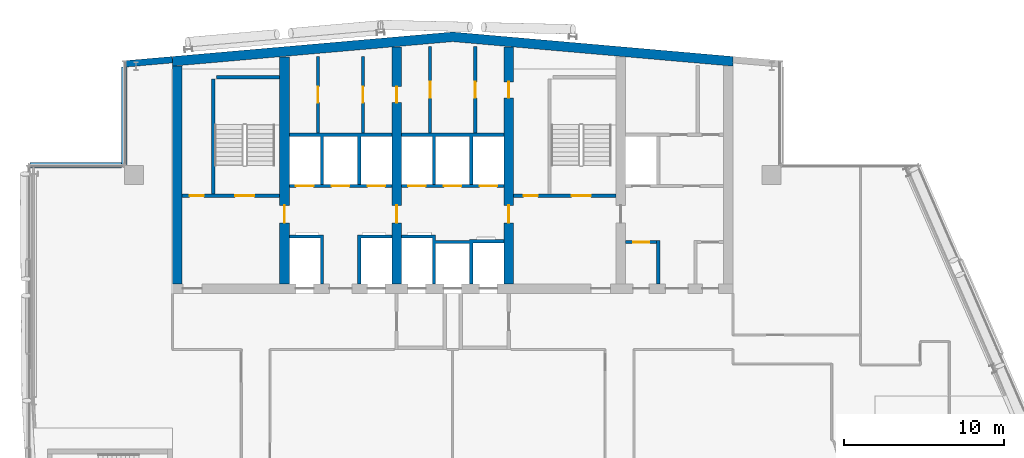
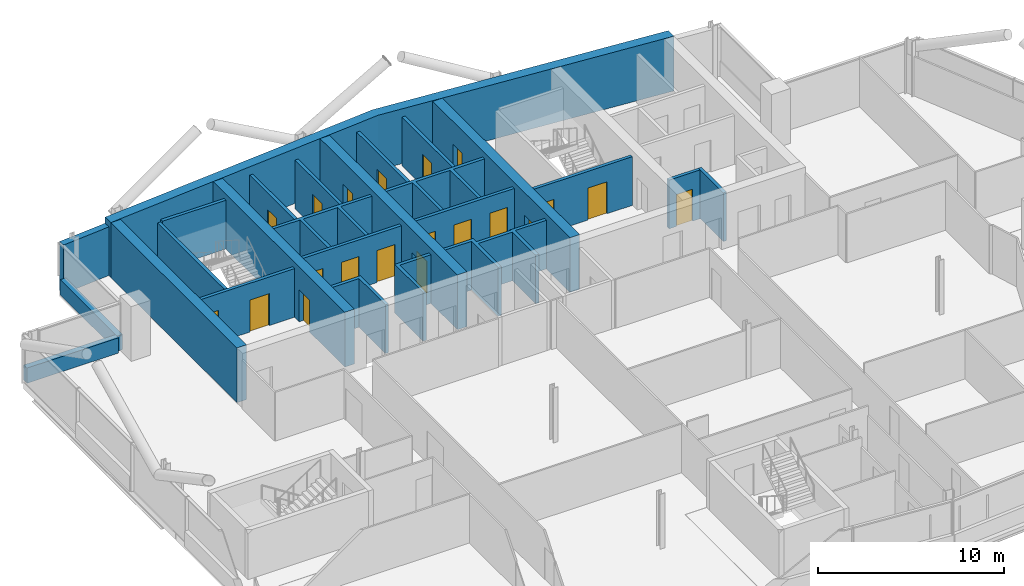
# One storey, part 19 of 28: 25 walls, 20 doors, 20 openings.
"""IFC4 building model written with IfcOpenShell, lengths in metres."""

import ifcopenshell
import ifcopenshell.guid

model = None  # the IFC model being written
_history = None  # IfcOwnerHistory: only IFC2X3 demands one
_inside = {}  # id of a spatial element -> (the spatial element, [elements in it])
_under = {}  # id of a project, library or spatial element -> (it, [spatial elements below it])
_declared = {}  # id of a project -> (the project, [libraries it declares])
_typed = {}  # id of a type object -> (the type object, [elements of that type])
_made_of = {}  # id of a material, layer set ... -> (it, [elements and type objects made of it])


def new_model(schema):
    """Start an empty IFC model of exactly this schema.

    Asked for "IFC4X3", IfcOpenShell would pick the latest addendum, in which some entities
    have other attributes; the version numbers below select the first issue.
    IFC2X3 requires an IfcOwnerHistory on every rooted entity: one is made here for all.
    """
    global model, _history
    if schema == "IFC4X3":
        model = ifcopenshell.file(schema_version=(4, 3, 0, 0))
    else:
        model = ifcopenshell.file(schema=schema)
    _inside.clear()
    _under.clear()
    _declared.clear()
    _typed.clear()
    _made_of.clear()
    _history = None
    if model.schema == "IFC2X3":
        org = make("IfcOrganization", Name="unknown")
        user = make(
            "IfcPersonAndOrganization",
            ThePerson=make("IfcPerson", FamilyName="unknown"),
            TheOrganization=org,
        )
        app = make(
            "IfcApplication",
            ApplicationDeveloper=org,
            Version="unknown",
            ApplicationFullName="unknown",
            ApplicationIdentifier="unknown",
        )
        _history = make(
            "IfcOwnerHistory",
            OwningUser=user,
            OwningApplication=app,
            ChangeAction="ADDED",
            CreationDate=0,
        )
    return model


def make(cls, **values):
    """One entity of the class cls with the attributes given. An attribute that is None is left unset."""
    return model.create_entity(
        cls, **{name: value for name, value in values.items() if value is not None}
    )


def rooted(cls, **values):
    """An entity with a GlobalId (a new one), such as an element, a storey or a relation."""
    return make(cls, GlobalId=ifcopenshell.guid.new(), OwnerHistory=_history, **values)


def si_unit(unit_type, name, prefix=None):
    """IfcSIUnit, for example si_unit("LENGTHUNIT", "METRE", prefix="MILLI")."""
    return make("IfcSIUnit", UnitType=unit_type, Prefix=prefix, Name=name)


def assignment(units):
    """IfcUnitAssignment: the units of a project."""
    return None if units is None else make("IfcUnitAssignment", Units=units)


def point(xyz):
    """IfcCartesianPoint."""
    return None if xyz is None else make("IfcCartesianPoint", Coordinates=xyz)


def direction(xyz):
    """IfcDirection."""
    return None if xyz is None else make("IfcDirection", DirectionRatios=xyz)


def frame(location, z_axis=None, x_axis=None):
    """IfcAxis2Placement3D, a coordinate frame: its origin and axes. An axis left out is left unset."""
    return make(
        "IfcAxis2Placement3D",
        Location=point(location),
        Axis=direction(z_axis),
        RefDirection=direction(x_axis),
    )


def frame_2d(location, x_axis=None):
    """IfcAxis2Placement2D, a coordinate frame in the plane: its origin and x axis."""
    return make(
        "IfcAxis2Placement2D", Location=point(location), RefDirection=direction(x_axis)
    )


def origin():
    """The frame at (0, 0, 0) with its axes left unset."""
    return frame((0.0, 0.0, 0.0))


def place(relative_to, where):
    """IfcLocalPlacement: puts the frame where relative to a parent placement (None: the world)."""
    return make(
        "IfcLocalPlacement", PlacementRelTo=relative_to, RelativePlacement=where
    )


def context(
    kind, dimensions, precision=None, world=None, true_north=None, identifier=None
):
    """IfcGeometricRepresentationContext, for example the 3D "Model" context."""
    return make(
        "IfcGeometricRepresentationContext",
        ContextIdentifier=identifier,
        ContextType=kind,
        CoordinateSpaceDimension=dimensions,
        Precision=precision,
        WorldCoordinateSystem=world,
        TrueNorth=true_north,
    )


def subcontext(parent, identifier, kind, view, scale=None):
    """IfcGeometricRepresentationSubContext, for example "Body" below "Model"."""
    return make(
        "IfcGeometricRepresentationSubContext",
        ContextIdentifier=identifier,
        ContextType=kind,
        ParentContext=parent,
        TargetScale=scale,
        TargetView=view,
    )


def project(units=None, contexts=None):
    """IfcProject with its units and contexts."""
    return rooted(
        "IfcProject",
        Name="project",
        RepresentationContexts=contexts,
        UnitsInContext=assignment(units),
    )


def spatial(cls, under=None, at=None, **own):
    """A site, building, storey or space (cls), placed at a placement, below another one or the project."""
    s = rooted(cls, ObjectPlacement=at, **own)
    if under is not None:
        _under.setdefault(under.id(), (under, []))[1].append(s)
    return s


def polyline(points):
    """IfcPolyline through the points."""
    return make("IfcPolyline", Points=[point(p) for p in points])


def profile(cls, at=None, kind="AREA", **sizes):
    """A parametric profile (cls). Its sizes go by their IFC names, for example OverallWidth=200.0."""
    return make(cls, ProfileType=kind, Position=at, **sizes)


def rectangle(**sizes):
    """IfcRectangleProfileDef."""
    return profile("IfcRectangleProfileDef", **sizes)


def outline(outer, holes=None, kind="AREA"):
    """IfcArbitraryClosedProfileDef: a profile drawn as a closed curve; with holes, ...WithVoids."""
    if holes is None:
        return make("IfcArbitraryClosedProfileDef", ProfileType=kind, OuterCurve=outer)
    return make(
        "IfcArbitraryProfileDefWithVoids",
        ProfileType=kind,
        OuterCurve=outer,
        InnerCurves=holes,
    )


def extrude(swept, where, along, depth):
    """IfcExtrudedAreaSolid: the profile swept, set in the frame where, extruded along a direction by depth."""
    return make(
        "IfcExtrudedAreaSolid",
        SweptArea=swept,
        Position=where,
        ExtrudedDirection=direction(along),
        Depth=depth,
    )


def shape(context_of_items, identifier, shape_type, items):
    """IfcShapeRepresentation: the items that make up one representation, for example the "Body"."""
    return make(
        "IfcShapeRepresentation",
        ContextOfItems=context_of_items,
        RepresentationIdentifier=identifier,
        RepresentationType=shape_type,
        Items=items,
    )


def material(Name=None, Category=None):
    """IfcMaterial."""
    return make("IfcMaterial", Name=Name, Category=Category)


def layer(
    of_material, thickness, ventilated=None, Name=None, Category=None, Priority=None
):
    """IfcMaterialLayer: one layer of a wall or slab, of a material (None: an air gap)."""
    return make(
        "IfcMaterialLayer",
        Material=of_material,
        LayerThickness=thickness,
        IsVentilated=ventilated,
        Name=Name,
        Category=Category,
        Priority=Priority,
    )


def layer_set(layers, Name=None):
    """IfcMaterialLayerSet."""
    return make("IfcMaterialLayerSet", MaterialLayers=layers, LayerSetName=Name)


def made_of(thing, what):
    """Note that an element or type object is made of a material, layer set ...; save() writes the relation."""
    if what is not None:
        _made_of.setdefault(what.id(), (what, []))[1].append(thing)
    return thing


def type_object(cls, material=None, **own):
    """A type object (cls), such as IfcWallType, which elements share."""
    return made_of(rooted(cls, **own), material)


def element(
    cls,
    number,
    at=None,
    inside=None,
    cuts=None,
    type_object=None,
    material=None,
    context=None,
    identifier="Body",
    shape_type=None,
    held_by="IfcProductDefinitionShape",
    body=None,
    shapes=None,
    **own,
):
    """One element of the class cls, such as IfcWall. Its Tag is "e" and its number.

    at: its placement. inside: the storey or other place that contains it. cuts: it is an
    opening in that element (IfcRelVoidsElement). A single representation is given by context,
    identifier, shape_type and body (its items); several are given by shapes. held_by: the class
    of the entity that holds the representations. save() writes the other relations.
    """
    e = rooted(cls, Tag="e%d" % number, ObjectPlacement=at, **own)
    if body is not None:
        shapes = [shape(context, identifier, shape_type, body)]
    if shapes is not None:
        e.Representation = make(held_by, Representations=shapes)
    if inside is not None:
        _inside.setdefault(inside.id(), (inside, []))[1].append(e)
    if cuts is not None:
        rooted(
            "IfcRelVoidsElement", RelatingBuildingElement=cuts, RelatedOpeningElement=e
        )
    if type_object is not None:
        _typed.setdefault(type_object.id(), (type_object, []))[1].append(e)
    return made_of(e, material)


def fill(opening, filler):
    """IfcRelFillsElement: the door or window that sits in an opening."""
    return rooted(
        "IfcRelFillsElement",
        RelatingOpeningElement=opening,
        RelatedBuildingElement=filler,
    )


def aggregate(whole, parts):
    """IfcRelAggregates: a whole, such as a stair, and the parts it consists of."""
    return rooted("IfcRelAggregates", RelatingObject=whole, RelatedObjects=parts)


def save(model, path):
    """Write the relations noted so far, then the file.

    IfcRelAggregates (storeys below a building ...), IfcRelContainedInSpatialStructure (elements
    in a storey), IfcRelDefinesByType, IfcRelAssociatesMaterial and IfcRelDeclares: one each for
    every whole, place, type object, material and project.
    """
    for whole, parts in _under.values():
        aggregate(whole, parts)
    for where, things in _inside.values():
        rooted(
            "IfcRelContainedInSpatialStructure",
            RelatedElements=things,
            RelatingStructure=where,
        )
    for kind, things in _typed.values():
        rooted("IfcRelDefinesByType", RelatedObjects=things, RelatingType=kind)
    for what, things in _made_of.values():
        rooted("IfcRelAssociatesMaterial", RelatedObjects=things, RelatingMaterial=what)
    for by, libraries in _declared.values():
        rooted("IfcRelDeclares", RelatingContext=by, RelatedDefinitions=libraries)
    model.write(path)


model = new_model("IFC4")

# Units and contexts
model_context = context("Model", 3, precision=1e-05, world=origin(), true_north=direction((0.0, 1.0)))
body_context = subcontext(model_context, "Body", "Model", "MODEL_VIEW")
ifc_project = project(units=[si_unit("LENGTHUNIT", "METRE"), si_unit("AREAUNIT", "SQUARE_METRE"), si_unit("VOLUMEUNIT", "CUBIC_METRE"), si_unit("PLANEANGLEUNIT", "RADIAN"), si_unit("MASSUNIT", "GRAM", prefix="KILO")], contexts=[model_context])

# Site, building, storey
site_placement = place(None, origin())
site = spatial("IfcSite", under=ifc_project, at=site_placement, CompositionType="ELEMENT")
building_placement = place(site_placement, origin())
building = spatial("IfcBuilding", under=site, at=building_placement, Name="Wharfspan Tower", CompositionType="ELEMENT")
storey_placement = place(building_placement, frame((0.0, 0.0, 250.300049)))
storey = spatial("IfcBuildingStorey", under=building, at=storey_placement, Name="L63", CompositionType="ELEMENT", Elevation=250.300049)

# Wall, opening, door
ifc_material_1 = material(Name="Calcium silicate masonry", Category="masonry")
ifc_layer_1 = layer(ifc_material_1, 0.199951)
ifc_layer_set_1 = layer_set([ifc_layer_1], Name="Calcium silicate masonry")
wall_type_1 = type_object("IfcWallType", Name="Core room wall 200", PredefinedType="PARTITIONING", material=ifc_layer_set_1)
wall_1_placement = place(storey_placement, frame((32.092041, 44.0, 0.0), z_axis=(0.0, 0.0, 1.0), x_axis=(0.0, 1.0, 0.0)))
wall_1 = element("IfcWall", 1, at=wall_1_placement, inside=storey, type_object=wall_type_1, Name="sw:L63:RP3.1", PredefinedType="PARTITIONING", context=body_context, shape_type="SweptSolid", body=[
    extrude(rectangle(XDim=4.803711, YDim=0.199951, at=frame_2d((2.401855, 0.0))), origin(), (0.0, 0.0, 1.0), 3.199951),
])
opening_1_placement = place(wall_1_placement, frame((1.901855, 0.0, 0.0)))
opening_1 = element("IfcOpeningElement", 2, at=opening_1_placement, cuts=wall_1, Name="Opening CD63.3P1", PredefinedType="OPENING", context=body_context, shape_type="SweptSolid", body=[
    extrude(rectangle(XDim=1.0, YDim=2.100098, at=frame_2d((0.5, 1.050049))), frame((0.0, 0.109863, 0.0), z_axis=(0.0, -1.0, 0.0), x_axis=(1.0, 0.0, 0.0)), (0.0, 0.0, 1.0), 0.219971),
])
ifc_material_2 = material(Name="Steel door leaf", Category="steel")
door_type_1 = type_object("IfcDoorType", Name="Core room door 1000x2100", OperationType="SINGLE_SWING_LEFT", PredefinedType="DOOR", material=ifc_material_2)
door_1_placement = place(opening_1_placement, origin())
door_1 = element("IfcDoor", 3, at=door_1_placement, inside=storey, type_object=door_type_1, Name="d:L63:3:rp1", OperationType="SINGLE_SWING_LEFT", OverallHeight=2.100098, OverallWidth=1.0, PredefinedType="DOOR", context=body_context, shape_type="SweptSolid", body=[
    extrude(rectangle(XDim=1.0, YDim=2.100098, at=frame_2d((0.5, 1.050049))), frame((0.0, 0.024902, 0.0), z_axis=(0.0, -1.0, 0.0), x_axis=(1.0, 0.0, 0.0)), (0.0, 0.0, 1.0), 0.050049),
])
fill(opening_1, door_1)

wall_2_placement = place(storey_placement, frame((34.907959, 44.0, 0.0), z_axis=(0.0, 0.0, 1.0), x_axis=(0.0, 1.0, 0.0)))
wall_2 = element("IfcWall", 4, at=wall_2_placement, inside=storey, type_object=wall_type_1, Name="sw:L63:RP3.2", PredefinedType="PARTITIONING", context=body_context, shape_type="SweptSolid", body=[
    extrude(rectangle(XDim=4.803711, YDim=0.199951, at=frame_2d((2.401855, 0.0))), origin(), (0.0, 0.0, 1.0), 3.199951),
])
opening_2_placement = place(wall_2_placement, frame((1.901855, 0.0, 0.0)))
opening_2 = element("IfcOpeningElement", 5, at=opening_2_placement, cuts=wall_2, Name="Opening CD63.3P2", PredefinedType="OPENING", context=body_context, shape_type="SweptSolid", body=[
    extrude(rectangle(XDim=1.0, YDim=2.100098, at=frame_2d((0.5, 1.050049))), frame((0.0, 0.109863, 0.0), z_axis=(0.0, -1.0, 0.0), x_axis=(1.0, 0.0, 0.0)), (0.0, 0.0, 1.0), 0.219971),
])
door_2_placement = place(opening_2_placement, origin())
door_2 = element("IfcDoor", 6, at=door_2_placement, inside=storey, type_object=door_type_1, Name="d:L63:3:rp2", OperationType="SINGLE_SWING_LEFT", OverallHeight=2.100098, OverallWidth=1.0, PredefinedType="DOOR", context=body_context, shape_type="SweptSolid", body=[
    extrude(rectangle(XDim=1.0, YDim=2.100098, at=frame_2d((0.5, 1.050049))), frame((0.0, 0.024902, 0.0), z_axis=(0.0, -1.0, 0.0), x_axis=(1.0, 0.0, 0.0)), (0.0, 0.0, 1.0), 0.050049),
])
fill(opening_2, door_2)

wall_3_placement = place(storey_placement, frame((39.092041, 44.0, 0.0), z_axis=(0.0, 0.0, 1.0), x_axis=(0.0, 1.0, 0.0)))
wall_3 = element("IfcWall", 7, at=wall_3_placement, inside=storey, type_object=wall_type_1, Name="sw:L63:RP4.1", PredefinedType="PARTITIONING", context=body_context, shape_type="SweptSolid", body=[
    extrude(rectangle(XDim=5.41626, YDim=0.199951, at=frame_2d((2.708008, 0.0))), origin(), (0.0, 0.0, 1.0), 3.199951),
])
opening_3_placement = place(wall_3_placement, frame((2.208008, 0.0, 0.0)))
opening_3 = element("IfcOpeningElement", 8, at=opening_3_placement, cuts=wall_3, Name="Opening CD63.4P1", PredefinedType="OPENING", context=body_context, shape_type="SweptSolid", body=[
    extrude(rectangle(XDim=1.0, YDim=2.100098, at=frame_2d((0.5, 1.050049))), frame((0.0, 0.109863, 0.0), z_axis=(0.0, -1.0, 0.0), x_axis=(1.0, 0.0, 0.0)), (0.0, 0.0, 1.0), 0.219971),
])
door_3_placement = place(opening_3_placement, origin())
door_3 = element("IfcDoor", 9, at=door_3_placement, inside=storey, type_object=door_type_1, Name="d:L63:4:rp1", OperationType="SINGLE_SWING_LEFT", OverallHeight=2.100098, OverallWidth=1.0, PredefinedType="DOOR", context=body_context, shape_type="SweptSolid", body=[
    extrude(rectangle(XDim=1.0, YDim=2.100098, at=frame_2d((0.5, 1.050049))), frame((0.0, 0.024902, 0.0), z_axis=(0.0, -1.0, 0.0), x_axis=(1.0, 0.0, 0.0)), (0.0, 0.0, 1.0), 0.050049),
])
fill(opening_3, door_3)

wall_4_placement = place(storey_placement, frame((41.907959, 44.0, 0.0), z_axis=(0.0, 0.0, 1.0), x_axis=(0.0, 1.0, 0.0)))
wall_4 = element("IfcWall", 10, at=wall_4_placement, inside=storey, type_object=wall_type_1, Name="sw:L63:RP4.2", PredefinedType="PARTITIONING", context=body_context, shape_type="SweptSolid", body=[
    extrude(rectangle(XDim=5.41626, YDim=0.199951, at=frame_2d((2.708008, 0.0))), origin(), (0.0, 0.0, 1.0), 3.199951),
])
opening_4_placement = place(wall_4_placement, frame((2.208008, 0.0, 0.0)))
opening_4 = element("IfcOpeningElement", 11, at=opening_4_placement, cuts=wall_4, Name="Opening CD63.4P2", PredefinedType="OPENING", context=body_context, shape_type="SweptSolid", body=[
    extrude(rectangle(XDim=1.0, YDim=2.100098, at=frame_2d((0.5, 1.050049))), frame((0.0, 0.109863, 0.0), z_axis=(0.0, -1.0, 0.0), x_axis=(1.0, 0.0, 0.0)), (0.0, 0.0, 1.0), 0.219971),
])
door_4_placement = place(opening_4_placement, origin())
door_4 = element("IfcDoor", 12, at=door_4_placement, inside=storey, type_object=door_type_1, Name="d:L63:4:rp2", OperationType="SINGLE_SWING_LEFT", OverallHeight=2.100098, OverallWidth=1.0, PredefinedType="DOOR", context=body_context, shape_type="SweptSolid", body=[
    extrude(rectangle(XDim=1.0, YDim=2.100098, at=frame_2d((0.5, 1.050049))), frame((0.0, 0.024902, 0.0), z_axis=(0.0, -1.0, 0.0), x_axis=(1.0, 0.0, 0.0)), (0.0, 0.0, 1.0), 0.050049),
])
fill(opening_4, door_4)

wall_5_placement = place(storey_placement, frame((51.300049, 37.199951, 0.0), z_axis=(0.0, 0.0, 1.0), x_axis=(1.0, 0.0, 0.0)))
wall_5 = element("IfcWall", 13, at=wall_5_placement, inside=storey, type_object=wall_type_1, Name="sw:L63:FR6.1", PredefinedType="PARTITIONING", context=body_context, shape_type="SweptSolid", body=[
    extrude(rectangle(XDim=1.93335, YDim=0.199951, at=frame_2d((0.966797, 0.0))), origin(), (0.0, 0.0, 1.0), 3.199951),
])
opening_5_placement = place(wall_5_placement, frame((0.466797, 0.0, 0.0)))
opening_5 = element("IfcOpeningElement", 14, at=opening_5_placement, cuts=wall_5, Name="Opening CD63.6H1", PredefinedType="OPENING", context=body_context, shape_type="SweptSolid", body=[
    extrude(rectangle(XDim=1.0, YDim=2.100098, at=frame_2d((0.5, 1.050049))), frame((0.0, 0.109863, 0.0), z_axis=(0.0, -1.0, 0.0), x_axis=(1.0, 0.0, 0.0)), (0.0, 0.0, 1.0), 0.219971),
])
door_5_placement = place(opening_5_placement, origin())
door_5 = element("IfcDoor", 15, at=door_5_placement, inside=storey, type_object=door_type_1, Name="d:L63:6:fh6.1", OperationType="SINGLE_SWING_RIGHT", OverallHeight=2.100098, OverallWidth=1.0, PredefinedType="DOOR", context=body_context, shape_type="SweptSolid", body=[
    extrude(rectangle(XDim=1.0, YDim=2.100098, at=frame_2d((0.5, 1.050049))), frame((0.0, 0.024902, 0.0), z_axis=(0.0, -1.0, 0.0), x_axis=(1.0, 0.0, 0.0)), (0.0, 0.0, 1.0), 0.050049),
])
fill(opening_5, door_5)

# Walls
ifc_material_3 = material(Name="Concrete C50/60", Category="concrete")
ifc_layer_2 = layer(ifc_material_3, 0.600098)
ifc_layer_set_2 = layer_set([ifc_layer_2], Name="Concrete C50/60")
wall_type_2 = type_object("IfcWallType", Name="Core wall 600 C50/60", PredefinedType="SHEAR", material=ifc_layer_set_2)
wall_6_placement = place(storey_placement, frame((0.0, 0.0, -0.000244)))
element("IfcWall", 16, at=wall_6_placement, inside=storey, type_object=wall_type_2, Name="Core rear wall L63", PredefinedType="SHEAR", context=body_context, shape_type="SweptSolid", body=[
    extrude(outline(polyline([(23.0, 48.185059), (40.5, 49.716064), (58.0, 48.185059), (58.0, 48.787354), (40.5, 50.318359), (23.0, 48.787354), (23.0, 48.185059)])), origin(), (0.0, 0.0, 1.0), 3.600098),
])
wall_7_placement = place(storey_placement, frame((23.300049, 34.600098, 0.0), z_axis=(0.0, 0.0, 1.0), x_axis=(0.0, 1.0, 0.0)))
element("IfcWall", 17, at=wall_7_placement, inside=storey, type_object=wall_type_2, Name="Core cross wall EW0 L63", PredefinedType="SHEAR", context=body_context, shape_type="SweptSolid", body=[
    extrude(rectangle(XDim=13.584961, YDim=0.600098, at=frame_2d((6.79248, 0.0))), origin(), (0.0, 0.0, 1.0), 3.599854),
])

# Wall, opening, door
wall_8_placement = place(storey_placement, frame((30.0, 34.600098, 0.0), z_axis=(0.0, 0.0, 1.0), x_axis=(0.0, 1.0, 0.0)))
wall_8 = element("IfcWall", 18, at=wall_8_placement, inside=storey, type_object=wall_type_2, Name="Core cross wall X3 L63", PredefinedType="SHEAR", context=body_context, shape_type="SweptSolid", body=[
    extrude(rectangle(XDim=14.171143, YDim=0.600098, at=frame_2d((7.085449, 0.0))), origin(), (0.0, 0.0, 1.0), 3.599854),
])
opening_6_placement = place(wall_8_placement, frame((3.800049, 0.0, 0.0)))
opening_6 = element("IfcOpeningElement", 19, at=opening_6_placement, cuts=wall_8, Name="Opening CC63.3", PredefinedType="OPENING", context=body_context, shape_type="SweptSolid", body=[
    extrude(rectangle(XDim=1.100098, YDim=2.100098, at=frame_2d((0.550049, 1.050049))), frame((0.0, 0.310059, 0.0), z_axis=(0.0, -1.0, 0.0), x_axis=(1.0, 0.0, 0.0)), (0.0, 0.0, 1.0), 0.620117),
])
door_type_2 = type_object("IfcDoorType", Name="Core corridor door 1100x2100", OperationType="SINGLE_SWING_LEFT", PredefinedType="DOOR", material=ifc_material_2)
door_6_placement = place(opening_6_placement, origin())
door_6 = element("IfcDoor", 20, at=door_6_placement, inside=storey, type_object=door_type_2, Name="xd:L63:3", OperationType="SINGLE_SWING_LEFT", OverallHeight=2.100098, OverallWidth=1.100098, PredefinedType="DOOR", context=body_context, shape_type="SweptSolid", body=[
    extrude(rectangle(XDim=1.100098, YDim=2.100098, at=frame_2d((0.550049, 1.050049))), frame((0.0, 0.024902, 0.0), z_axis=(0.0, -1.0, 0.0), x_axis=(1.0, 0.0, 0.0)), (0.0, 0.0, 1.0), 0.050049),
])
fill(opening_6, door_6)

# Wall, openings, doors
wall_9_placement = place(storey_placement, frame((37.0, 34.600098, 0.0), z_axis=(0.0, 0.0, 1.0), x_axis=(0.0, 1.0, 0.0)))
wall_9 = element("IfcWall", 21, at=wall_9_placement, inside=storey, type_object=wall_type_2, Name="Core cross wall X4 L63", PredefinedType="SHEAR", context=body_context, shape_type="SweptSolid", body=[
    extrude(rectangle(XDim=14.783691, YDim=0.600098, at=frame_2d((7.391846, 0.0))), origin(), (0.0, 0.0, 1.0), 3.599854),
])
opening_7_placement = place(wall_9_placement, frame((11.302002, 0.0, 0.0)))
opening_7 = element("IfcOpeningElement", 22, at=opening_7_placement, cuts=wall_9, Name="Opening CD63.3X", PredefinedType="OPENING", context=body_context, shape_type="SweptSolid", body=[
    extrude(rectangle(XDim=1.0, YDim=2.100098, at=frame_2d((0.5, 1.050049))), frame((0.0, 0.310059, 0.0), z_axis=(0.0, -1.0, 0.0), x_axis=(1.0, 0.0, 0.0)), (0.0, 0.0, 1.0), 0.620117),
])
opening_8_placement = place(wall_9_placement, frame((3.800049, 0.0, 0.0)))
opening_8 = element("IfcOpeningElement", 23, at=opening_8_placement, cuts=wall_9, Name="Opening CC63.4", PredefinedType="OPENING", context=body_context, shape_type="SweptSolid", body=[
    extrude(rectangle(XDim=1.100098, YDim=2.100098, at=frame_2d((0.550049, 1.050049))), frame((0.0, 0.310059, 0.0), z_axis=(0.0, -1.0, 0.0), x_axis=(1.0, 0.0, 0.0)), (0.0, 0.0, 1.0), 0.620117),
])
door_7_placement = place(opening_8_placement, origin())
door_7 = element("IfcDoor", 24, at=door_7_placement, inside=storey, type_object=door_type_2, Name="xd:L63:4", OperationType="SINGLE_SWING_RIGHT", OverallHeight=2.100098, OverallWidth=1.100098, PredefinedType="DOOR", context=body_context, shape_type="SweptSolid", body=[
    extrude(rectangle(XDim=1.100098, YDim=2.100098, at=frame_2d((0.550049, 1.050049))), frame((0.0, 0.024902, 0.0), z_axis=(0.0, -1.0, 0.0), x_axis=(1.0, 0.0, 0.0)), (0.0, 0.0, 1.0), 0.050049),
])
fill(opening_8, door_7)
door_8_placement = place(opening_7_placement, origin())
door_8 = element("IfcDoor", 25, at=door_8_placement, inside=storey, type_object=door_type_1, Name="d:L63:3:sx", OperationType="SINGLE_SWING_LEFT", OverallHeight=2.100098, OverallWidth=1.0, PredefinedType="DOOR", context=body_context, shape_type="SweptSolid", body=[
    extrude(rectangle(XDim=1.0, YDim=2.100098, at=frame_2d((0.5, 1.050049))), frame((0.0, 0.024902, 0.0), z_axis=(0.0, -1.0, 0.0), x_axis=(1.0, 0.0, 0.0)), (0.0, 0.0, 1.0), 0.050049),
])
fill(opening_7, door_8)

wall_10_placement = place(storey_placement, frame((44.0, 34.600098, 0.0), z_axis=(0.0, 0.0, 1.0), x_axis=(0.0, 1.0, 0.0)))
wall_10 = element("IfcWall", 26, at=wall_10_placement, inside=storey, type_object=wall_type_2, Name="Core cross wall X5 L63", PredefinedType="SHEAR", context=body_context, shape_type="SweptSolid", body=[
    extrude(rectangle(XDim=14.783691, YDim=0.600098, at=frame_2d((7.391846, 0.0))), origin(), (0.0, 0.0, 1.0), 3.599854),
])
opening_9_placement = place(wall_10_placement, frame((11.608154, 0.0, 0.0)))
opening_9 = element("IfcOpeningElement", 27, at=opening_9_placement, cuts=wall_10, Name="Opening CD63.4X", PredefinedType="OPENING", context=body_context, shape_type="SweptSolid", body=[
    extrude(rectangle(XDim=1.0, YDim=2.100098, at=frame_2d((0.5, 1.050049))), frame((0.0, 0.310059, 0.0), z_axis=(0.0, -1.0, 0.0), x_axis=(1.0, 0.0, 0.0)), (0.0, 0.0, 1.0), 0.620117),
])
opening_10_placement = place(wall_10_placement, frame((3.800049, 0.0, 0.0)))
opening_10 = element("IfcOpeningElement", 28, at=opening_10_placement, cuts=wall_10, Name="Opening CC63.5", PredefinedType="OPENING", context=body_context, shape_type="SweptSolid", body=[
    extrude(rectangle(XDim=1.100098, YDim=2.100098, at=frame_2d((0.550049, 1.050049))), frame((0.0, 0.310059, 0.0), z_axis=(0.0, -1.0, 0.0), x_axis=(1.0, 0.0, 0.0)), (0.0, 0.0, 1.0), 0.620117),
])
door_9_placement = place(opening_10_placement, origin())
door_9 = element("IfcDoor", 29, at=door_9_placement, inside=storey, type_object=door_type_2, Name="xd:L63:5", OperationType="SINGLE_SWING_LEFT", OverallHeight=2.100098, OverallWidth=1.100098, PredefinedType="DOOR", context=body_context, shape_type="SweptSolid", body=[
    extrude(rectangle(XDim=1.100098, YDim=2.100098, at=frame_2d((0.550049, 1.050049))), frame((0.0, 0.024902, 0.0), z_axis=(0.0, -1.0, 0.0), x_axis=(1.0, 0.0, 0.0)), (0.0, 0.0, 1.0), 0.050049),
])
fill(opening_10, door_9)
door_10_placement = place(opening_9_placement, origin())
door_10 = element("IfcDoor", 30, at=door_10_placement, inside=storey, type_object=door_type_1, Name="d:L63:4:sx", OperationType="SINGLE_SWING_LEFT", OverallHeight=2.100098, OverallWidth=1.0, PredefinedType="DOOR", context=body_context, shape_type="SweptSolid", body=[
    extrude(rectangle(XDim=1.0, YDim=2.100098, at=frame_2d((0.5, 1.050049))), frame((0.0, 0.024902, 0.0), z_axis=(0.0, -1.0, 0.0), x_axis=(1.0, 0.0, 0.0)), (0.0, 0.0, 1.0), 0.050049),
])
fill(opening_9, door_10)

ifc_material_4 = material(Name="Concrete C30/37", Category="concrete")
ifc_layer_3 = layer(ifc_material_4, 0.199951)
ifc_layer_set_3 = layer_set([ifc_layer_3], Name="Concrete C30/37")
wall_type_3 = type_object("IfcWallType", Name="Lift shaft wall 200", PredefinedType="PARTITIONING", material=ifc_layer_set_3)
wall_11_placement = place(storey_placement, frame((30.300049, 40.699951, 0.0), z_axis=(0.0, 0.0, 1.0), x_axis=(1.0, 0.0, 0.0)))
wall_11 = element("IfcWall", 31, at=wall_11_placement, inside=storey, type_object=wall_type_3, Name="sw:L63:RF3", PredefinedType="PARTITIONING", context=body_context, shape_type="SweptSolid", body=[
    extrude(rectangle(XDim=6.399902, YDim=0.199951, at=frame_2d((3.199951, 0.0))), origin(), (0.0, 0.0, 1.0), 3.199951),
])
opening_11_placement = place(wall_11_placement, frame((0.416748, 0.0, 0.0)))
opening_11 = element("IfcOpeningElement", 32, at=opening_11_placement, cuts=wall_11, Name="Opening LD.LB1.L63", PredefinedType="OPENING", context=body_context, shape_type="SweptSolid", body=[
    extrude(rectangle(XDim=1.100098, YDim=2.100098, at=frame_2d((0.550049, 1.050049))), frame((0.0, 0.109863, 0.0), z_axis=(0.0, -1.0, 0.0), x_axis=(1.0, 0.0, 0.0)), (0.0, 0.0, 1.0), 0.219971),
])
opening_12_placement = place(wall_11_placement, frame((2.649902, 0.0, 0.0)))
opening_12 = element("IfcOpeningElement", 33, at=opening_12_placement, cuts=wall_11, Name="Opening LD.LB2.L63", PredefinedType="OPENING", context=body_context, shape_type="SweptSolid", body=[
    extrude(rectangle(XDim=1.100098, YDim=2.100098, at=frame_2d((0.550049, 1.050049))), frame((0.0, 0.109863, 0.0), z_axis=(0.0, -1.0, 0.0), x_axis=(1.0, 0.0, 0.0)), (0.0, 0.0, 1.0), 0.219971),
])
opening_13_placement = place(wall_11_placement, frame((4.883301, 0.0, 0.0)))
opening_13 = element("IfcOpeningElement", 34, at=opening_13_placement, cuts=wall_11, Name="Opening LD.LB3.L63", PredefinedType="OPENING", context=body_context, shape_type="SweptSolid", body=[
    extrude(rectangle(XDim=1.100098, YDim=2.100098, at=frame_2d((0.550049, 1.050049))), frame((0.0, 0.109863, 0.0), z_axis=(0.0, -1.0, 0.0), x_axis=(1.0, 0.0, 0.0)), (0.0, 0.0, 1.0), 0.219971),
])
ifc_material_5 = material(Name="Stainless steel", Category="steel")
door_type_3 = type_object("IfcDoorType", Name="Lift landing door 1100x2100", OperationType="DOUBLE_DOOR_SLIDING", PredefinedType="DOOR", material=ifc_material_5)
door_11_placement = place(opening_11_placement, origin())
door_11 = element("IfcDoor", 35, at=door_11_placement, inside=storey, type_object=door_type_3, Name="Landing door LB1 L63", OperationType="DOUBLE_DOOR_SLIDING", OverallHeight=2.100098, OverallWidth=1.100098, PredefinedType="DOOR", context=body_context, shape_type="SweptSolid", body=[
    extrude(rectangle(XDim=1.100098, YDim=2.100098, at=frame_2d((0.550049, 1.050049))), frame((0.0, 0.024902, 0.0), z_axis=(0.0, -1.0, 0.0), x_axis=(1.0, 0.0, 0.0)), (0.0, 0.0, 1.0), 0.050049),
])
fill(opening_11, door_11)
door_12_placement = place(opening_12_placement, origin())
door_12 = element("IfcDoor", 36, at=door_12_placement, inside=storey, type_object=door_type_3, Name="Landing door LB2 L63", OperationType="DOUBLE_DOOR_SLIDING", OverallHeight=2.100098, OverallWidth=1.100098, PredefinedType="DOOR", context=body_context, shape_type="SweptSolid", body=[
    extrude(rectangle(XDim=1.100098, YDim=2.100098, at=frame_2d((0.550049, 1.050049))), frame((0.0, 0.024902, 0.0), z_axis=(0.0, -1.0, 0.0), x_axis=(1.0, 0.0, 0.0)), (0.0, 0.0, 1.0), 0.050049),
])
fill(opening_12, door_12)
door_13_placement = place(opening_13_placement, origin())
door_13 = element("IfcDoor", 37, at=door_13_placement, inside=storey, type_object=door_type_3, Name="Landing door LB3 L63", OperationType="DOUBLE_DOOR_SLIDING", OverallHeight=2.100098, OverallWidth=1.100098, PredefinedType="DOOR", context=body_context, shape_type="SweptSolid", body=[
    extrude(rectangle(XDim=1.100098, YDim=2.100098, at=frame_2d((0.550049, 1.050049))), frame((0.0, 0.024902, 0.0), z_axis=(0.0, -1.0, 0.0), x_axis=(1.0, 0.0, 0.0)), (0.0, 0.0, 1.0), 0.050049),
])
fill(opening_13, door_13)

# Walls
wall_12_placement = place(storey_placement, frame((0.0, 0.0, -0.000244)))
element("IfcWall", 38, at=wall_12_placement, inside=storey, type_object=wall_type_3, Name="sw:L63:FM3.0", PredefinedType="PARTITIONING", context=body_context, shape_type="SweptSolid", body=[
    extrude(outline(polyline([(32.233398, 37.449951), (30.300049, 37.449951), (30.300049, 37.649902), (32.233398, 37.649902), (32.43335, 37.649902), (32.43335, 34.600098), (32.233398, 34.600098), (32.233398, 37.449951)])), origin(), (0.0, 0.0, 1.0), 3.200195),
])
wall_13_placement = place(storey_placement, frame((0.0, 0.0, -0.000244)))
element("IfcWall", 39, at=wall_13_placement, inside=storey, type_object=wall_type_3, Name="sw:L63:FM3.1", PredefinedType="PARTITIONING", context=body_context, shape_type="SweptSolid", body=[
    extrude(outline(polyline([(34.56665, 37.649902), (34.766602, 37.649902), (36.699951, 37.649902), (36.699951, 37.449951), (34.766602, 37.449951), (34.766602, 34.600098), (34.56665, 34.600098), (34.56665, 37.649902)])), origin(), (0.0, 0.0, 1.0), 3.200195),
])
wall_14_placement = place(storey_placement, frame((0.0, 0.0, -0.000244)))
element("IfcWall", 40, at=wall_14_placement, inside=storey, type_object=wall_type_3, Name="sw:L63:RM3.0", PredefinedType="PARTITIONING", context=body_context, shape_type="SweptSolid", body=[
    extrude(outline(polyline([(32.43335, 40.800049), (32.233398, 40.800049), (32.233398, 43.800049), (30.300049, 43.800049), (30.300049, 44.0), (36.699951, 44.0), (36.699951, 43.800049), (34.766602, 43.800049), (34.766602, 40.800049), (34.56665, 40.800049), (34.56665, 43.800049), (32.43335, 43.800049), (32.43335, 40.800049)])), origin(), (0.0, 0.0, 1.0), 3.200195),
])

# Wall, openings, doors
wall_15_placement = place(storey_placement, frame((37.300049, 40.699951, 0.0), z_axis=(0.0, 0.0, 1.0), x_axis=(1.0, 0.0, 0.0)))
wall_15 = element("IfcWall", 41, at=wall_15_placement, inside=storey, type_object=wall_type_3, Name="sw:L63:RF4", PredefinedType="PARTITIONING", context=body_context, shape_type="SweptSolid", body=[
    extrude(rectangle(XDim=6.399902, YDim=0.199951, at=frame_2d((3.199951, 0.0))), origin(), (0.0, 0.0, 1.0), 3.199951),
])
opening_14_placement = place(wall_15_placement, frame((0.416748, 0.0, 0.0)))
opening_14 = element("IfcOpeningElement", 42, at=opening_14_placement, cuts=wall_15, Name="Opening LD.LB4.L63", PredefinedType="OPENING", context=body_context, shape_type="SweptSolid", body=[
    extrude(rectangle(XDim=1.100098, YDim=2.100098, at=frame_2d((0.550049, 1.050049))), frame((0.0, 0.109863, 0.0), z_axis=(0.0, -1.0, 0.0), x_axis=(1.0, 0.0, 0.0)), (0.0, 0.0, 1.0), 0.219971),
])
opening_15_placement = place(wall_15_placement, frame((2.649902, 0.0, 0.0)))
opening_15 = element("IfcOpeningElement", 43, at=opening_15_placement, cuts=wall_15, Name="Opening LD.LB5.L63", PredefinedType="OPENING", context=body_context, shape_type="SweptSolid", body=[
    extrude(rectangle(XDim=1.100098, YDim=2.100098, at=frame_2d((0.550049, 1.050049))), frame((0.0, 0.109863, 0.0), z_axis=(0.0, -1.0, 0.0), x_axis=(1.0, 0.0, 0.0)), (0.0, 0.0, 1.0), 0.219971),
])
opening_16_placement = place(wall_15_placement, frame((4.883301, 0.0, 0.0)))
opening_16 = element("IfcOpeningElement", 44, at=opening_16_placement, cuts=wall_15, Name="Opening LD.LB6.L63", PredefinedType="OPENING", context=body_context, shape_type="SweptSolid", body=[
    extrude(rectangle(XDim=1.100098, YDim=2.100098, at=frame_2d((0.550049, 1.050049))), frame((0.0, 0.109863, 0.0), z_axis=(0.0, -1.0, 0.0), x_axis=(1.0, 0.0, 0.0)), (0.0, 0.0, 1.0), 0.219971),
])
door_14_placement = place(opening_14_placement, origin())
door_14 = element("IfcDoor", 45, at=door_14_placement, inside=storey, type_object=door_type_3, Name="Landing door LB4 L63", OperationType="DOUBLE_DOOR_SLIDING", OverallHeight=2.100098, OverallWidth=1.100098, PredefinedType="DOOR", context=body_context, shape_type="SweptSolid", body=[
    extrude(rectangle(XDim=1.100098, YDim=2.100098, at=frame_2d((0.550049, 1.050049))), frame((0.0, 0.024902, 0.0), z_axis=(0.0, -1.0, 0.0), x_axis=(1.0, 0.0, 0.0)), (0.0, 0.0, 1.0), 0.050049),
])
fill(opening_14, door_14)
door_15_placement = place(opening_15_placement, origin())
door_15 = element("IfcDoor", 46, at=door_15_placement, inside=storey, type_object=door_type_3, Name="Landing door LB5 L63", OperationType="DOUBLE_DOOR_SLIDING", OverallHeight=2.100098, OverallWidth=1.100098, PredefinedType="DOOR", context=body_context, shape_type="SweptSolid", body=[
    extrude(rectangle(XDim=1.100098, YDim=2.100098, at=frame_2d((0.550049, 1.050049))), frame((0.0, 0.024902, 0.0), z_axis=(0.0, -1.0, 0.0), x_axis=(1.0, 0.0, 0.0)), (0.0, 0.0, 1.0), 0.050049),
])
fill(opening_15, door_15)
door_16_placement = place(opening_16_placement, origin())
door_16 = element("IfcDoor", 47, at=door_16_placement, inside=storey, type_object=door_type_3, Name="Landing door LB6 L63", OperationType="DOUBLE_DOOR_SLIDING", OverallHeight=2.100098, OverallWidth=1.100098, PredefinedType="DOOR", context=body_context, shape_type="SweptSolid", body=[
    extrude(rectangle(XDim=1.100098, YDim=2.100098, at=frame_2d((0.550049, 1.050049))), frame((0.0, 0.024902, 0.0), z_axis=(0.0, -1.0, 0.0), x_axis=(1.0, 0.0, 0.0)), (0.0, 0.0, 1.0), 0.050049),
])
fill(opening_16, door_16)

# Walls
wall_16_placement = place(storey_placement, frame((0.0, 0.0, -0.000244)))
element("IfcWall", 48, at=wall_16_placement, inside=storey, type_object=wall_type_3, Name="sw:L63:FM4.0", PredefinedType="PARTITIONING", context=body_context, shape_type="SweptSolid", body=[
    extrude(outline(polyline([(41.56665, 37.100098), (39.43335, 37.100098), (39.43335, 34.600098), (39.233398, 34.600098), (39.233398, 37.449951), (37.300049, 37.449951), (37.300049, 37.649902), (39.233398, 37.649902), (39.43335, 37.649902), (39.43335, 37.300049), (41.56665, 37.300049), (41.56665, 37.350098), (41.766602, 37.350098), (43.699951, 37.350098), (43.699951, 37.149902), (41.766602, 37.149902), (41.766602, 34.600098), (41.56665, 34.600098), (41.56665, 37.100098)])), origin(), (0.0, 0.0, 1.0), 3.200195),
])
wall_17_placement = place(storey_placement, frame((0.0, 0.0, -0.000244)))
element("IfcWall", 49, at=wall_17_placement, inside=storey, type_object=wall_type_3, Name="sw:L63:RM4.0", PredefinedType="PARTITIONING", context=body_context, shape_type="SweptSolid", body=[
    extrude(outline(polyline([(39.43335, 40.800049), (39.233398, 40.800049), (39.233398, 43.800049), (37.300049, 43.800049), (37.300049, 44.0), (43.699951, 44.0), (43.699951, 43.800049), (41.766602, 43.800049), (41.766602, 40.800049), (41.56665, 40.800049), (41.56665, 43.800049), (39.43335, 43.800049), (39.43335, 40.800049)])), origin(), (0.0, 0.0, 1.0), 3.200195),
])
wall_18_placement = place(storey_placement, frame((0.0, 0.0, -0.000244)))
element("IfcWall", 50, at=wall_18_placement, inside=storey, type_object=wall_type_3, Name="sw:L63:FM6.0", PredefinedType="PARTITIONING", context=body_context, shape_type="SweptSolid", body=[
    extrude(outline(polyline([(53.233398, 34.600098), (53.233398, 37.300049), (53.43335, 37.300049), (53.43335, 34.600098), (53.233398, 34.600098)])), origin(), (0.0, 0.0, 1.0), 3.200195),
])
ifc_material_6 = material(Name="Concrete C40/50", Category="concrete")
ifc_layer_4 = layer(ifc_material_6, 0.350098)
ifc_layer_set_4 = layer_set([ifc_layer_4], Name="Concrete C40/50")
wall_type_4 = type_object("IfcWallType", Name="SPANDREL EXPOSED CONCRETE 350", PredefinedType="SOLIDWALL", material=ifc_layer_set_4)
wall_19_placement = place(storey_placement, frame((19.995117, 48.126465, 0.0), z_axis=(0.0, 0.0, 1.0), x_axis=(0.0, -1.0, 0.0)))
element("IfcWall", 51, at=wall_19_placement, inside=storey, type_object=wall_type_4, Name="Spandrel upstand L63 NRW-V", PredefinedType="SOLIDWALL", context=body_context, shape_type="SweptSolid", body=[
    extrude(rectangle(XDim=6.126465, YDim=0.350098, at=frame_2d((3.063232, 0.0))), origin(), (0.0, 0.0, 1.0), 1.0),
])
wall_20_placement = place(storey_placement, frame((19.820068, 42.004883, 0.0), z_axis=(0.0, 0.0, 1.0), x_axis=(-1.0, 0.0, 0.0)))
element("IfcWall", 52, at=wall_20_placement, inside=storey, type_object=wall_type_4, Name="Spandrel upstand L63 NRW-H", PredefinedType="SOLIDWALL", context=body_context, shape_type="SweptSolid", body=[
    extrude(rectangle(XDim=5.699951, YDim=0.350098, at=frame_2d((2.850098, 0.0))), origin(), (0.0, 0.0, 1.0), 1.0),
])

# Wall, openings, doors
ifc_layer_5 = layer(ifc_material_6, 0.199951)
ifc_layer_set_5 = layer_set([ifc_layer_5], Name="Concrete C40/50")
wall_type_5 = type_object("IfcWallType", Name="Stair shaft wall 200", PredefinedType="SHEAR", material=ifc_layer_set_5)
wall_21_placement = place(storey_placement, frame((23.600098, 40.100098, 0.0), z_axis=(0.0, 0.0, 1.0), x_axis=(1.0, 0.0, 0.0)))
wall_21 = element("IfcWall", 53, at=wall_21_placement, inside=storey, type_object=wall_type_5, Name="ST1 stair enclosure wall L63", PredefinedType="SHEAR", context=body_context, shape_type="SweptSolid", body=[
    extrude(rectangle(XDim=6.099854, YDim=0.199951, at=frame_2d((3.049805, 0.0))), origin(), (0.0, 0.0, 1.0), 3.199951),
])
opening_17_placement = place(wall_21_placement, frame((3.324951, 0.0, 0.0)))
opening_17 = element("IfcOpeningElement", 54, at=opening_17_placement, cuts=wall_21, Name="Opening SD2.L63", PredefinedType="OPENING", context=body_context, shape_type="SweptSolid", body=[
    extrude(rectangle(XDim=1.199951, YDim=2.100098, at=frame_2d((0.600098, 1.050049))), frame((0.0, 0.109863, 0.0), z_axis=(0.0, -1.0, 0.0), x_axis=(1.0, 0.0, 0.0)), (0.0, 0.0, 1.0), 0.219971),
])
opening_18_placement = place(wall_21_placement, frame((0.475098, 0.0, 0.0)))
opening_18 = element("IfcOpeningElement", 55, at=opening_18_placement, cuts=wall_21, Name="Opening CD63.2R", PredefinedType="OPENING", context=body_context, shape_type="SweptSolid", body=[
    extrude(rectangle(XDim=0.899902, YDim=2.100098, at=frame_2d((0.449951, 1.050049))), frame((0.0, 0.109863, 0.0), z_axis=(0.0, -1.0, 0.0), x_axis=(1.0, 0.0, 0.0)), (0.0, 0.0, 1.0), 0.219971),
])
door_17_placement = place(opening_18_placement, origin())
door_17 = element("IfcDoor", 56, at=door_17_placement, inside=storey, type_object=door_type_1, Name="rk:L63:2", OperationType="SINGLE_SWING_LEFT", OverallHeight=2.100098, OverallWidth=0.899902, PredefinedType="DOOR", context=body_context, shape_type="SweptSolid", body=[
    extrude(rectangle(XDim=0.899902, YDim=2.100098, at=frame_2d((0.449951, 1.050049))), frame((0.0, 0.024902, 0.0), z_axis=(0.0, -1.0, 0.0), x_axis=(1.0, 0.0, 0.0)), (0.0, 0.0, 1.0), 0.050049),
])
fill(opening_18, door_17)
door_type_4 = type_object("IfcDoorType", Name="Stair door 1200x2100", OperationType="SINGLE_SWING_LEFT", PredefinedType="DOOR", material=ifc_material_2)
door_18_placement = place(opening_17_placement, origin())
door_18 = element("IfcDoor", 57, at=door_18_placement, inside=storey, type_object=door_type_4, Name="sd:L63:2", OperationType="SINGLE_SWING_RIGHT", OverallHeight=2.100098, OverallWidth=1.199951, PredefinedType="DOOR", context=body_context, shape_type="SweptSolid", body=[
    extrude(rectangle(XDim=1.199951, YDim=2.100098, at=frame_2d((0.600098, 1.050049))), frame((0.0, 0.024902, 0.0), z_axis=(0.0, -1.0, 0.0), x_axis=(1.0, 0.0, 0.0)), (0.0, 0.0, 1.0), 0.050049),
])
fill(opening_17, door_18)

# Walls
wall_22_placement = place(storey_placement, frame((25.550049, 40.199951, 0.0), z_axis=(0.0, 0.0, 1.0), x_axis=(0.0, 1.0, 0.0)))
element("IfcWall", 58, at=wall_22_placement, inside=storey, type_object=wall_type_5, Name="ST1 stair enclosure wall L63", PredefinedType="SHEAR", context=body_context, shape_type="SweptSolid", body=[
    extrude(rectangle(XDim=7.199951, YDim=0.199951, at=frame_2d((3.600098, 0.0))), origin(), (0.0, 0.0, 1.0), 3.199951),
])
wall_23_placement = place(storey_placement, frame((25.75, 47.5, 0.0), z_axis=(0.0, 0.0, 1.0), x_axis=(1.0, 0.0, 0.0)))
element("IfcWall", 59, at=wall_23_placement, inside=storey, type_object=wall_type_5, Name="ST1 stair enclosure wall L63", PredefinedType="SHEAR", context=body_context, shape_type="SweptSolid", body=[
    extrude(rectangle(XDim=3.949951, YDim=0.199951, at=frame_2d((1.975098, 0.0))), origin(), (0.0, 0.0, 1.0), 3.199951),
])

# Wall, openings, doors
wall_24_placement = place(storey_placement, frame((44.300049, 40.100098, 0.0), z_axis=(0.0, 0.0, 1.0), x_axis=(1.0, 0.0, 0.0)))
wall_24 = element("IfcWall", 60, at=wall_24_placement, inside=storey, type_object=wall_type_5, Name="ST2 stair enclosure wall L63", PredefinedType="SHEAR", context=body_context, shape_type="SweptSolid", body=[
    extrude(rectangle(XDim=6.399902, YDim=0.199951, at=frame_2d((3.199951, 0.0))), origin(), (0.0, 0.0, 1.0), 3.199951),
])
opening_19_placement = place(wall_24_placement, frame((3.625, 0.0, 0.0)))
opening_19 = element("IfcOpeningElement", 61, at=opening_19_placement, cuts=wall_24, Name="Opening SD5.L63", PredefinedType="OPENING", context=body_context, shape_type="SweptSolid", body=[
    extrude(rectangle(XDim=1.199951, YDim=2.100098, at=frame_2d((0.600098, 1.050049))), frame((0.0, 0.109863, 0.0), z_axis=(0.0, -1.0, 0.0), x_axis=(1.0, 0.0, 0.0)), (0.0, 0.0, 1.0), 0.219971),
])
opening_20_placement = place(wall_24_placement, frame((0.625, 0.0, 0.0)))
opening_20 = element("IfcOpeningElement", 62, at=opening_20_placement, cuts=wall_24, Name="Opening CD63.5R", PredefinedType="OPENING", context=body_context, shape_type="SweptSolid", body=[
    extrude(rectangle(XDim=0.899902, YDim=2.100098, at=frame_2d((0.449951, 1.050049))), frame((0.0, 0.109863, 0.0), z_axis=(0.0, -1.0, 0.0), x_axis=(1.0, 0.0, 0.0)), (0.0, 0.0, 1.0), 0.219971),
])
door_19_placement = place(opening_20_placement, origin())
door_19 = element("IfcDoor", 63, at=door_19_placement, inside=storey, type_object=door_type_1, Name="rk:L63:5", OperationType="SINGLE_SWING_LEFT", OverallHeight=2.100098, OverallWidth=0.899902, PredefinedType="DOOR", context=body_context, shape_type="SweptSolid", body=[
    extrude(rectangle(XDim=0.899902, YDim=2.100098, at=frame_2d((0.449951, 1.050049))), frame((0.0, 0.024902, 0.0), z_axis=(0.0, -1.0, 0.0), x_axis=(1.0, 0.0, 0.0)), (0.0, 0.0, 1.0), 0.050049),
])
fill(opening_20, door_19)
door_20_placement = place(opening_19_placement, origin())
door_20 = element("IfcDoor", 64, at=door_20_placement, inside=storey, type_object=door_type_4, Name="sd:L63:5", OperationType="SINGLE_SWING_RIGHT", OverallHeight=2.100098, OverallWidth=1.199951, PredefinedType="DOOR", context=body_context, shape_type="SweptSolid", body=[
    extrude(rectangle(XDim=1.199951, YDim=2.100098, at=frame_2d((0.600098, 1.050049))), frame((0.0, 0.024902, 0.0), z_axis=(0.0, -1.0, 0.0), x_axis=(1.0, 0.0, 0.0)), (0.0, 0.0, 1.0), 0.050049),
])
fill(opening_19, door_20)

# Wall
ifc_layer_6 = layer(ifc_material_6, 0.399902)
ifc_layer_set_6 = layer_set([ifc_layer_6], Name="Concrete C40/50")
wall_type_6 = type_object("IfcWallType", Name="WALL EXPOSED CONCRETE 400", PredefinedType="SOLIDWALL", material=ifc_layer_set_6)
wall_25_placement = place(storey_placement, frame((23.0, 48.58667, 0.0), z_axis=(0.0, 0.0, 1.0), x_axis=(-0.996194, -0.087168, 0.0)))
element("IfcWall", 65, at=wall_25_placement, inside=storey, type_object=wall_type_6, Name="Rear wall N1", PredefinedType="SOLIDWALL", context=body_context, shape_type="SweptSolid", body=[
    extrude(rectangle(XDim=2.994141, YDim=0.399902, at=frame_2d((1.49707, 0.0))), origin(), (0.0, 0.0, 1.0), 3.199951),
])

save(model, "model.ifc")
